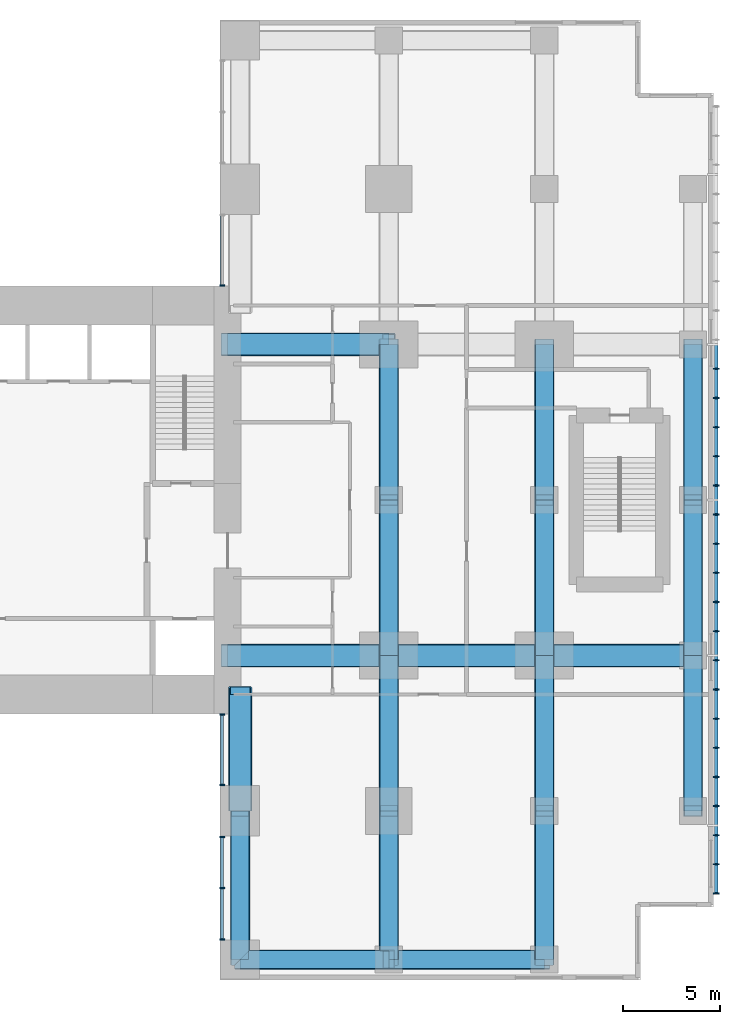
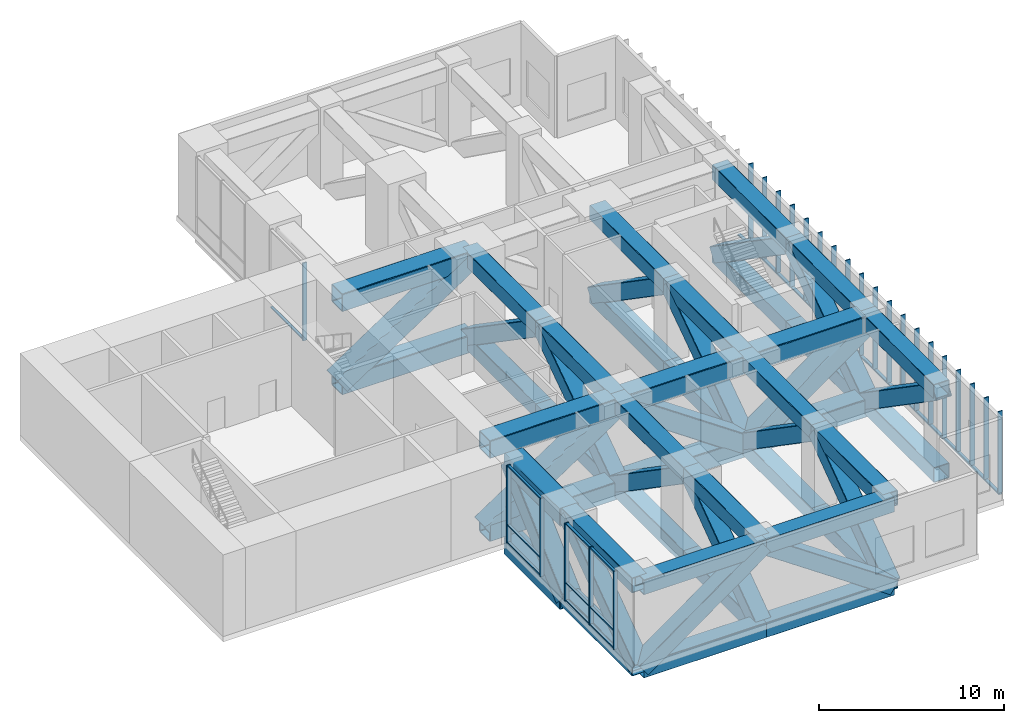
# One storey, part 2 of 10: 95 members, 3 elements without a shape of their own.
"""IFC4 building model written with IfcOpenShell, lengths in metres."""

from ifc_helpers import new_model, si_unit, direction, frame, origin, origin_2d, place, context, subcontext, project, spatial, rectangle, hollow_rectangle, extrude, material, layer, layer_set, material_profile, profile_set, type_object, element, aggregate, save


model = new_model("IFC4")

# Units and contexts
model_context = context("Model", 3, precision=1e-05, world=origin(), true_north=direction((0.0, 1.0)))
body_context = subcontext(model_context, "Body", "Model", "MODEL_VIEW")
ifc_project = project(units=[si_unit("LENGTHUNIT", "METRE"), si_unit("AREAUNIT", "SQUARE_METRE"), si_unit("VOLUMEUNIT", "CUBIC_METRE"), si_unit("PLANEANGLEUNIT", "RADIAN"), si_unit("MASSUNIT", "GRAM", prefix="KILO")], contexts=[model_context])

# Site, building, storey
site_placement = place(None, origin())
site = spatial("IfcSite", under=ifc_project, at=site_placement, CompositionType="ELEMENT")
building_placement = place(site_placement, origin())
building = spatial("IfcBuilding", under=site, at=building_placement, Name="Cleftline Residences", CompositionType="ELEMENT")
storey_placement = place(building_placement, frame((0.0, 0.0, 277.199951171875)))
storey = spatial("IfcBuildingStorey", under=building, at=storey_placement, Name="L73", CompositionType="ELEMENT", Elevation=277.199951171875)

# Members
ifc_material_1 = material(Name="Steel S355, hot-dip galvanised", Category="steel")
ifc_material_profile_1 = material_profile(ifc_material_1, hollow_rectangle(XDim=0.10009765625, YDim=0.199951171875, WallThickness=0.008056640625, InnerFilletRadius=0.008056640625, OuterFilletRadius=0.011962890625, at=origin_2d()))
ifc_profile_set_1 = profile_set([ifc_material_profile_1], Name="Steel S355, hot-dip galvanised")
member_type_1 = type_object("IfcMemberType", Name="BAGUETTE CARRIER RHS 200X100X8", PredefinedType="USERDEFINED", material=ifc_profile_set_1)
member_1_placement = place(storey_placement, frame((66.85009765625, 3.699951171875, -0.050048828125), z_axis=(0.0, 1.0, 0.0), x_axis=(0.0, 0.0, 1.0)))
element("IfcMember", 1, at=member_1_placement, inside=storey, type_object=member_type_1, Name="Baguette carrier", ObjectType="BAGUETTE CARRIER", PredefinedType="USERDEFINED", context=body_context, shape_type="SweptSolid", body=[
    extrude(hollow_rectangle(XDim=0.10009765625, YDim=0.199951171875, WallThickness=0.008056640625, InnerFilletRadius=0.008056640625, OuterFilletRadius=0.011962890625, at=origin_2d()), origin(), (0.0, 0.0, 1.0), 12.300048828125),
])
for number, where, z_axis, x_axis, name in (
    (2, (66.85009765625, 16.0, -0.050048828125), (0.0, 1.0, 0.0), (0.0, 0.0, 1.0), "Baguette carrier"),
    (3, (66.85009765625, 24.0, -0.050048828125), (0.0, 1.0, 0.0), (0.0, 0.0, 1.0), "Baguette carrier"),
):
    element("IfcMember", number, at=place(storey_placement, frame(where, z_axis=z_axis, x_axis=x_axis)), inside=storey, type_object=member_type_1, Name=name, ObjectType="BAGUETTE CARRIER", PredefinedType="USERDEFINED", context=body_context, shape_type="SweptSolid", body=[
        extrude(hollow_rectangle(XDim=0.10009765625, YDim=0.199951171875, WallThickness=0.008056640625, InnerFilletRadius=0.008056640625, OuterFilletRadius=0.011962890625, at=origin_2d()), origin(), (0.0, 0.0, 1.0), 8.0),
    ])
ifc_material_2 = material(Name="Steel S355", Category="steel")
ifc_material_profile_2 = material_profile(ifc_material_2, hollow_rectangle(XDim=1.0, YDim=1.0, WallThickness=0.0400390625, InnerFilletRadius=0.0400390625, OuterFilletRadius=0.06005859375, at=origin_2d()))
ifc_profile_set_2 = profile_set([ifc_material_profile_2], Name="Steel S355")
member_type_2 = type_object("IfcMemberType", Name="BRACE BOX 1000X1000X40", PredefinedType="BRACE", material=ifc_profile_set_2)
for number, where, z_axis, x_axis, name in (
    (4, (42.35009765625, 0.35009765625, -0.849853515625), (0.0, 0.811933238445, 0.583750303048), (0.0, -0.583750303048, 0.811933238445), "Belt truss diagonal"),
    (5, (50.0, 0.35009765625, -0.849853515625), (0.0, 0.811933238445, 0.583750303048), (0.0, -0.583750303048, 0.811933238445), "Belt truss diagonal"),
):
    element("IfcMember", number, at=place(storey_placement, frame(where, z_axis=z_axis, x_axis=x_axis)), inside=storey, type_object=member_type_2, Name=name, PredefinedType="BRACE", context=body_context, shape_type="SweptSolid", body=[
        extrude(hollow_rectangle(XDim=1.0, YDim=1.0, WallThickness=0.0400390625, InnerFilletRadius=0.0400390625, OuterFilletRadius=0.06005859375, at=origin_2d()), origin(), (0.0, 0.0, 1.0), 9.421875),
    ])
for number, where, z_axis, x_axis, name in (
    (6, (50.0, 8.0, 4.650146484375), (0.0, 0.824041924199, -0.566528822887), (0.0, 0.566528822887, 0.824041924199), "Belt truss diagonal"),
    (7, (50.0, 16.0, -0.849853515625), (0.0, 0.824041924199, 0.566528822887), (0.0, -0.566528822887, 0.824041924199), "Belt truss diagonal"),
    (8, (50.0, 24.0, 4.650146484375), (0.0, 0.824041924199, -0.566528822887), (0.0, 0.566528822887, 0.824041924199), "Belt truss diagonal"),
):
    element("IfcMember", number, at=place(storey_placement, frame(where, z_axis=z_axis, x_axis=x_axis)), inside=storey, type_object=member_type_2, Name=name, PredefinedType="BRACE", context=body_context, shape_type="SweptSolid", body=[
        extrude(hollow_rectangle(XDim=1.0, YDim=1.0, WallThickness=0.0400390625, InnerFilletRadius=0.0400390625, OuterFilletRadius=0.06005859375, at=origin_2d()), origin(), (0.0, 0.0, 1.0), 9.708251953125),
    ])
member_2_placement = place(storey_placement, frame((58.0, 0.35009765625, -0.849853515625), z_axis=(0.0, 0.811933238445, 0.583750303048), x_axis=(0.0, -0.583750303048, 0.811933238445)))
element("IfcMember", 9, at=member_2_placement, inside=storey, type_object=member_type_2, Name="Belt truss diagonal", PredefinedType="BRACE", context=body_context, shape_type="SweptSolid", body=[
    extrude(hollow_rectangle(XDim=1.0, YDim=1.0, WallThickness=0.0400390625, InnerFilletRadius=0.0400390625, OuterFilletRadius=0.06005859375, at=origin_2d()), origin(), (0.0, 0.0, 1.0), 9.421875),
])
for number, where, z_axis, x_axis, name in (
    (10, (58.0, 8.0, 4.650146484375), (0.0, 0.824041924199, -0.566528822887), (0.0, 0.566528822887, 0.824041924199), "Belt truss diagonal"),
    (11, (58.0, 16.0, -0.849853515625), (0.0, 0.824041924199, 0.566528822887), (0.0, -0.566528822887, 0.824041924199), "Belt truss diagonal"),
    (12, (58.0, 24.0, 4.650146484375), (0.0, 0.824041924199, -0.566528822887), (0.0, 0.566528822887, 0.824041924199), "Belt truss diagonal"),
    (13, (65.64990234375, 8.0, 4.650146484375), (0.0, 0.824041924199, -0.566528822887), (0.0, 0.566528822887, 0.824041924199), "Belt truss diagonal"),
    (14, (65.64990234375, 16.0, -0.849853515625), (0.0, 0.824041924199, 0.566528822887), (0.0, -0.566528822887, 0.824041924199), "Belt truss diagonal"),
    (15, (65.64990234375, 24.0, 4.650146484375), (0.0, 0.824041924199, -0.566528822887), (0.0, 0.566528822887, 0.824041924199), "Belt truss diagonal"),
):
    element("IfcMember", number, at=place(storey_placement, frame(where, z_axis=z_axis, x_axis=x_axis)), inside=storey, type_object=member_type_2, Name=name, PredefinedType="BRACE", context=body_context, shape_type="SweptSolid", body=[
        extrude(hollow_rectangle(XDim=1.0, YDim=1.0, WallThickness=0.0400390625, InnerFilletRadius=0.0400390625, OuterFilletRadius=0.06005859375, at=origin_2d()), origin(), (0.0, 0.0, 1.0), 9.708251953125),
    ])
member_3_placement = place(storey_placement, frame((42.35009765625, 0.35009765625, -0.849853515625), z_axis=(0.811933238445, 0.0, 0.583750303048), x_axis=(-0.583750303048, 0.0, 0.811933238445)))
element("IfcMember", 16, at=member_3_placement, inside=storey, type_object=member_type_2, Name="Belt truss diagonal", PredefinedType="BRACE", context=body_context, shape_type="SweptSolid", body=[
    extrude(hollow_rectangle(XDim=1.0, YDim=1.0, WallThickness=0.0400390625, InnerFilletRadius=0.0400390625, OuterFilletRadius=0.06005859375, at=origin_2d()), origin(), (0.0, 0.0, 1.0), 9.421875),
])
member_4_placement = place(storey_placement, frame((50.0, 0.35009765625, 4.650146484375), z_axis=(0.824041924199, 0.0, -0.566528822887), x_axis=(0.566528822887, 0.0, 0.824041924199)))
element("IfcMember", 17, at=member_4_placement, inside=storey, type_object=member_type_2, Name="Belt truss diagonal", PredefinedType="BRACE", context=body_context, shape_type="SweptSolid", body=[
    extrude(hollow_rectangle(XDim=1.0, YDim=1.0, WallThickness=0.0400390625, InnerFilletRadius=0.0400390625, OuterFilletRadius=0.06005859375, at=origin_2d()), origin(), (0.0, 0.0, 1.0), 9.708251953125),
])
ifc_material_3 = material(Name="Steel S355", Category="steel")
ifc_material_profile_3 = material_profile(ifc_material_3, hollow_rectangle(XDim=1.199951171875, YDim=1.199951171875, WallThickness=0.06005859375, InnerFilletRadius=0.06005859375, OuterFilletRadius=0.090087890625, at=origin_2d()))
ifc_profile_set_3 = profile_set([ifc_material_profile_3], Name="Steel S355")
member_type_3 = type_object("IfcMemberType", Name="BRACE BOX 1200X1200X60", PredefinedType="BRACE", material=ifc_profile_set_3)
member_5_placement = place(storey_placement, frame((41.699951171875, 16.0, -0.949951171875), z_axis=(0.833593682581, 0.0, 0.552378106338), x_axis=(-0.552378106338, 0.0, 0.833593682581)))
element("IfcMember", 18, at=member_5_placement, inside=storey, type_object=member_type_3, Name="Outrigger truss diagonal", PredefinedType="BRACE", context=body_context, shape_type="SweptSolid", body=[
    extrude(hollow_rectangle(XDim=1.199951171875, YDim=1.199951171875, WallThickness=0.06005859375, InnerFilletRadius=0.06005859375, OuterFilletRadius=0.090087890625, at=origin_2d()), origin(), (0.0, 0.0, 1.0), 9.95703125),
])
member_6_placement = place(storey_placement, frame((50.0, 16.0, 4.550048828125), z_axis=(0.824041924199, 0.0, -0.566528822887), x_axis=(0.566528822887, 0.0, 0.824041924199)))
element("IfcMember", 19, at=member_6_placement, inside=storey, type_object=member_type_3, Name="Outrigger truss diagonal", PredefinedType="BRACE", context=body_context, shape_type="SweptSolid", body=[
    extrude(hollow_rectangle(XDim=1.199951171875, YDim=1.199951171875, WallThickness=0.06005859375, InnerFilletRadius=0.06005859375, OuterFilletRadius=0.090087890625, at=origin_2d()), origin(), (0.0, 0.0, 1.0), 9.708251953125),
])
member_7_placement = place(storey_placement, frame((58.0, 16.0, -0.949951171875), z_axis=(0.811933238445, 0.0, 0.583750303048), x_axis=(-0.583750303048, 0.0, 0.811933238445)))
element("IfcMember", 20, at=member_7_placement, inside=storey, type_object=member_type_3, Name="Outrigger truss diagonal", PredefinedType="BRACE", context=body_context, shape_type="SweptSolid", body=[
    extrude(hollow_rectangle(XDim=1.199951171875, YDim=1.199951171875, WallThickness=0.06005859375, InnerFilletRadius=0.06005859375, OuterFilletRadius=0.090087890625, at=origin_2d()), origin(), (0.0, 0.0, 1.0), 9.421875),
])
member_8_placement = place(storey_placement, frame((41.699951171875, 32.0, -0.949951171875), z_axis=(0.833593682581, 0.0, 0.552378106338), x_axis=(-0.552378106338, 0.0, 0.833593682581)))
element("IfcMember", 21, at=member_8_placement, inside=storey, type_object=member_type_3, Name="Outrigger truss diagonal", PredefinedType="BRACE", context=body_context, shape_type="SweptSolid", body=[
    extrude(hollow_rectangle(XDim=1.199951171875, YDim=1.199951171875, WallThickness=0.06005859375, InnerFilletRadius=0.06005859375, OuterFilletRadius=0.090087890625, at=origin_2d()), origin(), (0.0, 0.0, 1.0), 9.95703125),
])
member_9_placement = place(storey_placement, frame((42.35009765625, 8.0, -0.949951171875), z_axis=(0.0, 0.737154140201, 0.675724628517), x_axis=(0.0, -0.675724628517, 0.737154140201)))
element("IfcMember", 22, at=member_9_placement, inside=storey, type_object=member_type_3, Name="Outrigger truss diagonal", PredefinedType="BRACE", context=body_context, shape_type="SweptSolid", body=[
    extrude(hollow_rectangle(XDim=1.199951171875, YDim=1.199951171875, WallThickness=0.06005859375, InnerFilletRadius=0.06005859375, OuterFilletRadius=0.090087890625, at=origin_2d()), origin(), (0.0, 0.0, 1.0), 8.139404296875),
])
ifc_material_4 = material(Name="Steel S355", Category="steel")
ifc_material_profile_4 = material_profile(ifc_material_4, hollow_rectangle(XDim=1.0, YDim=1.0, WallThickness=0.0400390625, InnerFilletRadius=0.0400390625, OuterFilletRadius=0.06005859375, at=origin_2d()))
ifc_profile_set_4 = profile_set([ifc_material_profile_4], Name="Steel S355")
member_type_4 = type_object("IfcMemberType", Name="CHORD BOX 1000X1000X40", PredefinedType="CHORD", material=ifc_profile_set_4)
for number, where, z_axis, x_axis, name in (
    (23, (42.35009765625, 0.35009765625, -0.849853515625), (0.0, 1.0, 0.0), (-1.0, 0.0, 0.0), "Belt truss bottom chord"),
    (24, (42.35009765625, 0.35009765625, 4.650146484375), (0.0, 1.0, 0.0), (-1.0, 0.0, 0.0), "Belt truss top chord"),
    (25, (50.0, 0.35009765625, -0.849853515625), (0.0, 1.0, 0.0), (-1.0, 0.0, 0.0), "Belt truss bottom chord"),
    (26, (50.0, 0.35009765625, 4.650146484375), (0.0, 1.0, 0.0), (-1.0, 0.0, 0.0), "Belt truss top chord"),
):
    element("IfcMember", number, at=place(storey_placement, frame(where, z_axis=z_axis, x_axis=x_axis)), inside=storey, type_object=member_type_4, Name=name, PredefinedType="CHORD", context=body_context, shape_type="SweptSolid", body=[
        extrude(hollow_rectangle(XDim=1.0, YDim=1.0, WallThickness=0.0400390625, InnerFilletRadius=0.0400390625, OuterFilletRadius=0.06005859375, at=origin_2d()), origin(), (0.0, 0.0, 1.0), 7.64990234375),
    ])
for number, where, z_axis, x_axis, name in (
    (27, (50.0, 8.0, -0.849853515625), (0.0, 1.0, 0.0), (-1.0, 0.0, 0.0), "Belt truss bottom chord"),
    (28, (50.0, 8.0, 4.650146484375), (0.0, 1.0, 0.0), (-1.0, 0.0, 0.0), "Belt truss top chord"),
    (29, (50.0, 16.0, -0.849853515625), (0.0, 1.0, 0.0), (-1.0, 0.0, 0.0), "Belt truss bottom chord"),
    (30, (50.0, 16.0, 4.650146484375), (0.0, 1.0, 0.0), (-1.0, 0.0, 0.0), "Belt truss top chord"),
    (31, (50.0, 24.0, -0.849853515625), (0.0, 1.0, 0.0), (-1.0, 0.0, 0.0), "Belt truss bottom chord"),
    (32, (50.0, 24.0, 4.650146484375), (0.0, 1.0, 0.0), (-1.0, 0.0, 0.0), "Belt truss top chord"),
):
    element("IfcMember", number, at=place(storey_placement, frame(where, z_axis=z_axis, x_axis=x_axis)), inside=storey, type_object=member_type_4, Name=name, PredefinedType="CHORD", context=body_context, shape_type="SweptSolid", body=[
        extrude(hollow_rectangle(XDim=1.0, YDim=1.0, WallThickness=0.0400390625, InnerFilletRadius=0.0400390625, OuterFilletRadius=0.06005859375, at=origin_2d()), origin(), (0.0, 0.0, 1.0), 8.0),
    ])
for number, where, z_axis, x_axis, name in (
    (33, (58.0, 0.35009765625, -0.849853515625), (0.0, 1.0, 0.0), (-1.0, 0.0, 0.0), "Belt truss bottom chord"),
    (34, (58.0, 0.35009765625, 4.650146484375), (0.0, 1.0, 0.0), (-1.0, 0.0, 0.0), "Belt truss top chord"),
):
    element("IfcMember", number, at=place(storey_placement, frame(where, z_axis=z_axis, x_axis=x_axis)), inside=storey, type_object=member_type_4, Name=name, PredefinedType="CHORD", context=body_context, shape_type="SweptSolid", body=[
        extrude(hollow_rectangle(XDim=1.0, YDim=1.0, WallThickness=0.0400390625, InnerFilletRadius=0.0400390625, OuterFilletRadius=0.06005859375, at=origin_2d()), origin(), (0.0, 0.0, 1.0), 7.64990234375),
    ])
for number, where, z_axis, x_axis, name in (
    (35, (58.0, 8.0, -0.849853515625), (0.0, 1.0, 0.0), (-1.0, 0.0, 0.0), "Belt truss bottom chord"),
    (36, (58.0, 8.0, 4.650146484375), (0.0, 1.0, 0.0), (-1.0, 0.0, 0.0), "Belt truss top chord"),
    (37, (58.0, 16.0, -0.849853515625), (0.0, 1.0, 0.0), (-1.0, 0.0, 0.0), "Belt truss bottom chord"),
    (38, (58.0, 16.0, 4.650146484375), (0.0, 1.0, 0.0), (-1.0, 0.0, 0.0), "Belt truss top chord"),
    (39, (58.0, 24.0, -0.849853515625), (0.0, 1.0, 0.0), (-1.0, 0.0, 0.0), "Belt truss bottom chord"),
    (40, (58.0, 24.0, 4.650146484375), (0.0, 1.0, 0.0), (-1.0, 0.0, 0.0), "Belt truss top chord"),
    (41, (65.64990234375, 8.0, -0.849853515625), (0.0, 1.0, 0.0), (-1.0, 0.0, 0.0), "Belt truss bottom chord"),
    (42, (65.64990234375, 8.0, 4.650146484375), (0.0, 1.0, 0.0), (-1.0, 0.0, 0.0), "Belt truss top chord"),
    (43, (65.64990234375, 16.0, -0.849853515625), (0.0, 1.0, 0.0), (-1.0, 0.0, 0.0), "Belt truss bottom chord"),
    (44, (65.64990234375, 16.0, 4.650146484375), (0.0, 1.0, 0.0), (-1.0, 0.0, 0.0), "Belt truss top chord"),
    (45, (65.64990234375, 24.0, -0.849853515625), (0.0, 1.0, 0.0), (-1.0, 0.0, 0.0), "Belt truss bottom chord"),
    (46, (65.64990234375, 24.0, 4.650146484375), (0.0, 1.0, 0.0), (-1.0, 0.0, 0.0), "Belt truss top chord"),
):
    element("IfcMember", number, at=place(storey_placement, frame(where, z_axis=z_axis, x_axis=x_axis)), inside=storey, type_object=member_type_4, Name=name, PredefinedType="CHORD", context=body_context, shape_type="SweptSolid", body=[
        extrude(hollow_rectangle(XDim=1.0, YDim=1.0, WallThickness=0.0400390625, InnerFilletRadius=0.0400390625, OuterFilletRadius=0.06005859375, at=origin_2d()), origin(), (0.0, 0.0, 1.0), 8.0),
    ])
for number, where, z_axis, x_axis, name in (
    (47, (42.35009765625, 0.35009765625, -0.849853515625), (1.0, 0.0, 0.0), (0.0, 1.0, 0.0), "Belt truss bottom chord"),
    (48, (42.35009765625, 0.35009765625, 4.650146484375), (1.0, 0.0, 0.0), (0.0, 1.0, 0.0), "Belt truss top chord"),
):
    element("IfcMember", number, at=place(storey_placement, frame(where, z_axis=z_axis, x_axis=x_axis)), inside=storey, type_object=member_type_4, Name=name, PredefinedType="CHORD", context=body_context, shape_type="SweptSolid", body=[
        extrude(hollow_rectangle(XDim=1.0, YDim=1.0, WallThickness=0.0400390625, InnerFilletRadius=0.0400390625, OuterFilletRadius=0.06005859375, at=origin_2d()), origin(), (0.0, 0.0, 1.0), 7.64990234375),
    ])
for number, where, z_axis, x_axis, name in (
    (49, (50.0, 0.35009765625, -0.849853515625), (1.0, 0.0, 0.0), (0.0, 1.0, 0.0), "Belt truss bottom chord"),
    (50, (50.0, 0.35009765625, 4.650146484375), (1.0, 0.0, 0.0), (0.0, 1.0, 0.0), "Belt truss top chord"),
):
    element("IfcMember", number, at=place(storey_placement, frame(where, z_axis=z_axis, x_axis=x_axis)), inside=storey, type_object=member_type_4, Name=name, PredefinedType="CHORD", context=body_context, shape_type="SweptSolid", body=[
        extrude(hollow_rectangle(XDim=1.0, YDim=1.0, WallThickness=0.0400390625, InnerFilletRadius=0.0400390625, OuterFilletRadius=0.06005859375, at=origin_2d()), origin(), (0.0, 0.0, 1.0), 8.0),
    ])
ifc_material_5 = material(Name="Steel S355", Category="steel")
ifc_material_profile_5 = material_profile(ifc_material_5, hollow_rectangle(XDim=1.199951171875, YDim=1.199951171875, WallThickness=0.06005859375, InnerFilletRadius=0.06005859375, OuterFilletRadius=0.090087890625, at=origin_2d()))
ifc_profile_set_5 = profile_set([ifc_material_profile_5], Name="Steel S355")
member_type_5 = type_object("IfcMemberType", Name="CHORD BOX 1200X1200X60", PredefinedType="CHORD", material=ifc_profile_set_5)
for number, where, z_axis, x_axis, name in (
    (51, (41.699951171875, 16.0, -0.949951171875), (1.0, 0.0, 0.0), (0.0, 1.0, 0.0), "Outrigger truss bottom chord"),
    (52, (41.699951171875, 16.0, 4.550048828125), (1.0, 0.0, 0.0), (0.0, 1.0, 0.0), "Outrigger truss top chord"),
):
    element("IfcMember", number, at=place(storey_placement, frame(where, z_axis=z_axis, x_axis=x_axis)), inside=storey, type_object=member_type_5, Name=name, PredefinedType="CHORD", context=body_context, shape_type="SweptSolid", body=[
        extrude(hollow_rectangle(XDim=1.199951171875, YDim=1.199951171875, WallThickness=0.06005859375, InnerFilletRadius=0.06005859375, OuterFilletRadius=0.090087890625, at=origin_2d()), origin(), (0.0, 0.0, 1.0), 8.300048828125),
    ])
for number, where, z_axis, x_axis, name in (
    (53, (50.0, 16.0, -0.949951171875), (1.0, 0.0, 0.0), (0.0, 1.0, 0.0), "Outrigger truss bottom chord"),
    (54, (50.0, 16.0, 4.550048828125), (1.0, 0.0, 0.0), (0.0, 1.0, 0.0), "Outrigger truss top chord"),
):
    element("IfcMember", number, at=place(storey_placement, frame(where, z_axis=z_axis, x_axis=x_axis)), inside=storey, type_object=member_type_5, Name=name, PredefinedType="CHORD", context=body_context, shape_type="SweptSolid", body=[
        extrude(hollow_rectangle(XDim=1.199951171875, YDim=1.199951171875, WallThickness=0.06005859375, InnerFilletRadius=0.06005859375, OuterFilletRadius=0.090087890625, at=origin_2d()), origin(), (0.0, 0.0, 1.0), 8.0),
    ])
for number, where, z_axis, x_axis, name in (
    (55, (58.0, 16.0, -0.949951171875), (1.0, 0.0, 0.0), (0.0, 1.0, 0.0), "Outrigger truss bottom chord"),
    (56, (58.0, 16.0, 4.550048828125), (1.0, 0.0, 0.0), (0.0, 1.0, 0.0), "Outrigger truss top chord"),
):
    element("IfcMember", number, at=place(storey_placement, frame(where, z_axis=z_axis, x_axis=x_axis)), inside=storey, type_object=member_type_5, Name=name, PredefinedType="CHORD", context=body_context, shape_type="SweptSolid", body=[
        extrude(hollow_rectangle(XDim=1.199951171875, YDim=1.199951171875, WallThickness=0.06005859375, InnerFilletRadius=0.06005859375, OuterFilletRadius=0.090087890625, at=origin_2d()), origin(), (0.0, 0.0, 1.0), 7.64990234375),
    ])
for number, where, z_axis, x_axis, name in (
    (57, (41.699951171875, 32.0, -0.949951171875), (1.0, 0.0, 0.0), (0.0, 1.0, 0.0), "Outrigger truss bottom chord"),
    (58, (41.699951171875, 32.0, 4.550048828125), (1.0, 0.0, 0.0), (0.0, 1.0, 0.0), "Outrigger truss top chord"),
):
    element("IfcMember", number, at=place(storey_placement, frame(where, z_axis=z_axis, x_axis=x_axis)), inside=storey, type_object=member_type_5, Name=name, PredefinedType="CHORD", context=body_context, shape_type="SweptSolid", body=[
        extrude(hollow_rectangle(XDim=1.199951171875, YDim=1.199951171875, WallThickness=0.06005859375, InnerFilletRadius=0.06005859375, OuterFilletRadius=0.090087890625, at=origin_2d()), origin(), (0.0, 0.0, 1.0), 8.300048828125),
    ])
for number, where, z_axis, x_axis, name in (
    (59, (42.35009765625, 8.0, -0.949951171875), (0.0, 1.0, 0.0), (-1.0, 0.0, 0.0), "Outrigger truss bottom chord"),
    (60, (42.35009765625, 8.0, 4.550048828125), (0.0, 1.0, 0.0), (-1.0, 0.0, 0.0), "Outrigger truss top chord"),
):
    element("IfcMember", number, at=place(storey_placement, frame(where, z_axis=z_axis, x_axis=x_axis)), inside=storey, type_object=member_type_5, Name=name, PredefinedType="CHORD", context=body_context, shape_type="SweptSolid", body=[
        extrude(hollow_rectangle(XDim=1.199951171875, YDim=1.199951171875, WallThickness=0.06005859375, InnerFilletRadius=0.06005859375, OuterFilletRadius=0.090087890625, at=origin_2d()), origin(), (0.0, 0.0, 1.0), 6.0),
    ])

# Curtain wall, members
ifc_material_6 = material(Name="Aluminium framed louvre screen", Category="aluminium")
ifc_layer = layer(ifc_material_6, 0.25)
ifc_layer_set = layer_set([ifc_layer], Name="CW6 REFUGE LOUVRE SCREEN")
curtain_wall_type = type_object("IfcCurtainWallType", Name="CW6 REFUGE LOUVRE SCREEN", PredefinedType="NOTDEFINED", material=ifc_layer_set)
curtain_wall_1_placement = place(storey_placement, origin())
curtain_wall_1 = element("IfcCurtainWall", 61, at=curtain_wall_1_placement, inside=storey, type_object=curtain_wall_type, Name="Louvre screen CW6", PredefinedType="NOTDEFINED")
ifc_material_7 = material(Name="Aluminium louvre mullion", Category="aluminium")
ifc_material_profile_6 = material_profile(ifc_material_7, rectangle(XDim=0.25, YDim=0.080078125, at=origin_2d()))
ifc_profile_set_6 = profile_set([ifc_material_profile_6], Name="Aluminium louvre mullion")
member_type_6 = type_object("IfcMemberType", Name="CW6 LOUVRE MULLION", PredefinedType="MULLION", material=ifc_profile_set_6)
member_10_placement = place(storey_placement, frame((41.425048828125, 12.9599609375, 0.0), z_axis=(0.0, 0.0, 1.0), x_axis=(1.0, 0.0, 0.0)))
member_10 = element("IfcMember", 62, at=member_10_placement, type_object=member_type_6, Name="CW6 mullion 1", PredefinedType="MULLION", context=body_context, shape_type="SweptSolid", body=[
    extrude(rectangle(XDim=0.25, YDim=0.080078125, at=origin_2d()), origin(), (0.0, 0.0, 1.0), 5.150146484375),
])
member_11_placement = place(storey_placement, frame((41.425048828125, 9.340087890625, 0.0), z_axis=(0.0, 0.0, 1.0), x_axis=(1.0, 0.0, 0.0)))
member_11 = element("IfcMember", 63, at=member_11_placement, type_object=member_type_6, Name="CW6 mullion 2", PredefinedType="MULLION", context=body_context, shape_type="SweptSolid", body=[
    extrude(rectangle(XDim=0.25, YDim=0.080078125, at=origin_2d()), origin(), (0.0, 0.0, 1.0), 5.150146484375),
])

curtain_wall_2_placement = place(storey_placement, origin())
curtain_wall_2 = element("IfcCurtainWall", 64, at=curtain_wall_2_placement, inside=storey, type_object=curtain_wall_type, Name="Louvre screen CW6", PredefinedType="NOTDEFINED")
member_12_placement = place(storey_placement, frame((41.425048828125, 6.659912109375, 0.0), z_axis=(0.0, 0.0, 1.0), x_axis=(1.0, 0.0, 0.0)))
member_12 = element("IfcMember", 65, at=member_12_placement, type_object=member_type_6, Name="CW6 mullion 1", PredefinedType="MULLION", context=body_context, shape_type="SweptSolid", body=[
    extrude(rectangle(XDim=0.25, YDim=0.080078125, at=origin_2d()), origin(), (0.0, 0.0, 1.0), 5.150146484375),
])
member_13_placement = place(storey_placement, frame((41.425048828125, 4.02490234375, 0.0), z_axis=(0.0, 0.0, 1.0), x_axis=(1.0, 0.0, 0.0)))
member_13 = element("IfcMember", 66, at=member_13_placement, type_object=member_type_6, Name="CW6 mullion 2", PredefinedType="MULLION", context=body_context, shape_type="SweptSolid", body=[
    extrude(rectangle(XDim=0.25, YDim=0.080078125, at=origin_2d()), origin(), (0.0, 0.0, 1.0), 5.150146484375),
])
member_14_placement = place(storey_placement, frame((41.425048828125, 1.389892578125, 0.0), z_axis=(0.0, 0.0, 1.0), x_axis=(1.0, 0.0, 0.0)))
member_14 = element("IfcMember", 67, at=member_14_placement, type_object=member_type_6, Name="CW6 mullion 3", PredefinedType="MULLION", context=body_context, shape_type="SweptSolid", body=[
    extrude(rectangle(XDim=0.25, YDim=0.080078125, at=origin_2d()), origin(), (0.0, 0.0, 1.0), 5.150146484375),
])

# Curtain wall, member
curtain_wall_3_placement = place(storey_placement, origin())
curtain_wall_3 = element("IfcCurtainWall", 68, at=curtain_wall_3_placement, inside=storey, type_object=curtain_wall_type, Name="Louvre screen CW6", PredefinedType="NOTDEFINED")
member_15_placement = place(storey_placement, frame((41.425048828125, 35.0400390625, 0.0), z_axis=(0.0, 0.0, 1.0), x_axis=(1.0, 0.0, 0.0)))
member_15 = element("IfcMember", 69, at=member_15_placement, type_object=member_type_6, Name="CW6 mullion 2", PredefinedType="MULLION", context=body_context, shape_type="SweptSolid", body=[
    extrude(rectangle(XDim=0.25, YDim=0.080078125, at=origin_2d()), origin(), (0.0, 0.0, 1.0), 5.150146484375),
])

# Member
ifc_material_8 = material(Name="Aluminium louvre transom", Category="aluminium")
ifc_material_profile_7 = material_profile(ifc_material_8, rectangle(XDim=0.14990234375, YDim=0.080078125, at=origin_2d()))
ifc_profile_set_7 = profile_set([ifc_material_profile_7], Name="Aluminium louvre transom")
member_type_7 = type_object("IfcMemberType", Name="CW6 LOUVRE TRANSOM", PredefinedType="USERDEFINED", material=ifc_profile_set_7)
member_16_placement = place(storey_placement, frame((41.425048828125, 12.919921875, 0.0400390625), z_axis=(0.0, -1.0, 0.0), x_axis=(1.0, 0.0, 0.0)))
member_16 = element("IfcMember", 70, at=member_16_placement, type_object=member_type_7, Name="CW6 transom 1.1", ObjectType="TRANSOM", PredefinedType="USERDEFINED", context=body_context, shape_type="SweptSolid", body=[
    extrude(rectangle(XDim=0.14990234375, YDim=0.080078125, at=origin_2d()), origin(), (0.0, 0.0, 1.0), 3.5400390625),
])

member_17_placement = place(storey_placement, frame((41.425048828125, 12.919921875, 1.199951171875), z_axis=(0.0, -1.0, 0.0), x_axis=(1.0, 0.0, 0.0)))
member_17 = element("IfcMember", 71, at=member_17_placement, type_object=member_type_7, Name="CW6 transom 1.2", ObjectType="TRANSOM", PredefinedType="USERDEFINED", context=body_context, shape_type="SweptSolid", body=[
    extrude(rectangle(XDim=0.14990234375, YDim=0.080078125, at=origin_2d()), origin(), (0.0, 0.0, 1.0), 3.5400390625),
])

member_18_placement = place(storey_placement, frame((41.425048828125, 12.919921875, 5.110107421875), z_axis=(0.0, -1.0, 0.0), x_axis=(1.0, 0.0, 0.0)))
member_18 = element("IfcMember", 72, at=member_18_placement, type_object=member_type_7, Name="CW6 transom 1.3", ObjectType="TRANSOM", PredefinedType="USERDEFINED", context=body_context, shape_type="SweptSolid", body=[
    extrude(rectangle(XDim=0.14990234375, YDim=0.080078125, at=origin_2d()), origin(), (0.0, 0.0, 1.0), 3.5400390625),
])

aggregate(curtain_wall_1, [member_10, member_11, member_16, member_17, member_18])

member_19_placement = place(storey_placement, frame((41.425048828125, 6.6201171875, 0.0400390625), z_axis=(0.0, -1.0, 0.0), x_axis=(1.0, 0.0, 0.0)))
member_19 = element("IfcMember", 73, at=member_19_placement, type_object=member_type_7, Name="CW6 transom 1.1", ObjectType="TRANSOM", PredefinedType="USERDEFINED", context=body_context, shape_type="SweptSolid", body=[
    extrude(rectangle(XDim=0.14990234375, YDim=0.080078125, at=origin_2d()), origin(), (0.0, 0.0, 1.0), 2.55517578125),
])

member_20_placement = place(storey_placement, frame((41.425048828125, 6.6201171875, 1.199951171875), z_axis=(0.0, -1.0, 0.0), x_axis=(1.0, 0.0, 0.0)))
member_20 = element("IfcMember", 74, at=member_20_placement, type_object=member_type_7, Name="CW6 transom 1.2", ObjectType="TRANSOM", PredefinedType="USERDEFINED", context=body_context, shape_type="SweptSolid", body=[
    extrude(rectangle(XDim=0.14990234375, YDim=0.080078125, at=origin_2d()), origin(), (0.0, 0.0, 1.0), 2.55517578125),
])

member_21_placement = place(storey_placement, frame((41.425048828125, 6.6201171875, 5.110107421875), z_axis=(0.0, -1.0, 0.0), x_axis=(1.0, 0.0, 0.0)))
member_21 = element("IfcMember", 75, at=member_21_placement, type_object=member_type_7, Name="CW6 transom 1.3", ObjectType="TRANSOM", PredefinedType="USERDEFINED", context=body_context, shape_type="SweptSolid", body=[
    extrude(rectangle(XDim=0.14990234375, YDim=0.080078125, at=origin_2d()), origin(), (0.0, 0.0, 1.0), 2.55517578125),
])

member_22_placement = place(storey_placement, frame((41.425048828125, 3.985107421875, 0.0400390625), z_axis=(0.0, -1.0, 0.0), x_axis=(1.0, 0.0, 0.0)))
member_22 = element("IfcMember", 76, at=member_22_placement, type_object=member_type_7, Name="CW6 transom 2.1", ObjectType="TRANSOM", PredefinedType="USERDEFINED", context=body_context, shape_type="SweptSolid", body=[
    extrude(rectangle(XDim=0.14990234375, YDim=0.080078125, at=origin_2d()), origin(), (0.0, 0.0, 1.0), 2.55517578125),
])

member_23_placement = place(storey_placement, frame((41.425048828125, 3.985107421875, 1.199951171875), z_axis=(0.0, -1.0, 0.0), x_axis=(1.0, 0.0, 0.0)))
member_23 = element("IfcMember", 77, at=member_23_placement, type_object=member_type_7, Name="CW6 transom 2.2", ObjectType="TRANSOM", PredefinedType="USERDEFINED", context=body_context, shape_type="SweptSolid", body=[
    extrude(rectangle(XDim=0.14990234375, YDim=0.080078125, at=origin_2d()), origin(), (0.0, 0.0, 1.0), 2.55517578125),
])

member_24_placement = place(storey_placement, frame((41.425048828125, 3.985107421875, 5.110107421875), z_axis=(0.0, -1.0, 0.0), x_axis=(1.0, 0.0, 0.0)))
member_24 = element("IfcMember", 78, at=member_24_placement, type_object=member_type_7, Name="CW6 transom 2.3", ObjectType="TRANSOM", PredefinedType="USERDEFINED", context=body_context, shape_type="SweptSolid", body=[
    extrude(rectangle(XDim=0.14990234375, YDim=0.080078125, at=origin_2d()), origin(), (0.0, 0.0, 1.0), 2.55517578125),
])

aggregate(curtain_wall_2, [member_12, member_13, member_14, member_19, member_20, member_21, member_22, member_23, member_24])

member_25_placement = place(storey_placement, frame((41.425048828125, 38.6201171875, 0.0400390625), z_axis=(0.0, -1.0, 0.0), x_axis=(1.0, 0.0, 0.0)))
member_25 = element("IfcMember", 79, at=member_25_placement, type_object=member_type_7, Name="CW6 transom 1.1", ObjectType="TRANSOM", PredefinedType="USERDEFINED", context=body_context, shape_type="SweptSolid", body=[
    extrude(rectangle(XDim=0.14990234375, YDim=0.080078125, at=origin_2d()), origin(), (0.0, 0.0, 1.0), 3.5400390625),
])

aggregate(curtain_wall_3, [member_15, member_25])

# Members
ifc_material_9 = material(Name="Extruded terracotta", Category="masonry")
ifc_material_profile_8 = material_profile(ifc_material_9, rectangle(XDim=0.06005859375, YDim=0.300048828125, at=origin_2d()))
ifc_profile_set_8 = profile_set([ifc_material_profile_8], Name="Extruded terracotta")
member_type_8 = type_object("IfcMemberType", Name="TERRACOTTA BAGUETTE 60X300", PredefinedType="USERDEFINED", material=ifc_profile_set_8)
for number, where, z_axis, x_axis, name in (
    (80, (66.85009765625, 3.75, 0.0), (0.0, 0.0, 1.0), (0.0, 1.0, 0.0), "Terracotta baguette"),
    (81, (66.85009765625, 5.25, 0.0), (0.0, 0.0, 1.0), (0.0, 1.0, 0.0), "Terracotta baguette"),
    (82, (66.85009765625, 6.75, 0.0), (0.0, 0.0, 1.0), (0.0, 1.0, 0.0), "Terracotta baguette"),
    (83, (66.85009765625, 8.25, 0.0), (0.0, 0.0, 1.0), (0.0, 1.0, 0.0), "Terracotta baguette"),
    (84, (66.85009765625, 9.75, 0.0), (0.0, 0.0, 1.0), (0.0, 1.0, 0.0), "Terracotta baguette"),
    (85, (66.85009765625, 11.25, 0.0), (0.0, 0.0, 1.0), (0.0, 1.0, 0.0), "Terracotta baguette"),
    (86, (66.85009765625, 12.75, 0.0), (0.0, 0.0, 1.0), (0.0, 1.0, 0.0), "Terracotta baguette"),
    (87, (66.85009765625, 14.25, 0.0), (0.0, 0.0, 1.0), (0.0, 1.0, 0.0), "Terracotta baguette"),
    (88, (66.85009765625, 15.75, 0.0), (0.0, 0.0, 1.0), (0.0, 1.0, 0.0), "Terracotta baguette"),
    (89, (66.85009765625, 17.25, 0.0), (0.0, 0.0, 1.0), (0.0, 1.0, 0.0), "Terracotta baguette"),
    (90, (66.85009765625, 18.75, 0.0), (0.0, 0.0, 1.0), (0.0, 1.0, 0.0), "Terracotta baguette"),
    (91, (66.85009765625, 20.25, 0.0), (0.0, 0.0, 1.0), (0.0, 1.0, 0.0), "Terracotta baguette"),
    (92, (66.85009765625, 21.75, 0.0), (0.0, 0.0, 1.0), (0.0, 1.0, 0.0), "Terracotta baguette"),
    (93, (66.85009765625, 23.25, 0.0), (0.0, 0.0, 1.0), (0.0, 1.0, 0.0), "Terracotta baguette"),
    (94, (66.85009765625, 24.75, 0.0), (0.0, 0.0, 1.0), (0.0, 1.0, 0.0), "Terracotta baguette"),
    (95, (66.85009765625, 26.25, 0.0), (0.0, 0.0, 1.0), (0.0, 1.0, 0.0), "Terracotta baguette"),
    (96, (66.85009765625, 27.75, 0.0), (0.0, 0.0, 1.0), (0.0, 1.0, 0.0), "Terracotta baguette"),
    (97, (66.85009765625, 29.25, 0.0), (0.0, 0.0, 1.0), (0.0, 1.0, 0.0), "Terracotta baguette"),
    (98, (66.85009765625, 30.75, 0.0), (0.0, 0.0, 1.0), (0.0, 1.0, 0.0), "Terracotta baguette"),
):
    element("IfcMember", number, at=place(storey_placement, frame(where, z_axis=z_axis, x_axis=x_axis)), inside=storey, type_object=member_type_8, Name=name, ObjectType="BAGUETTE", PredefinedType="USERDEFINED", context=body_context, shape_type="SweptSolid", body=[
        extrude(rectangle(XDim=0.06005859375, YDim=0.300048828125, at=origin_2d()), origin(), (0.0, 0.0, 1.0), 5.400146484375),
    ])

save(model, "model.ifc")
